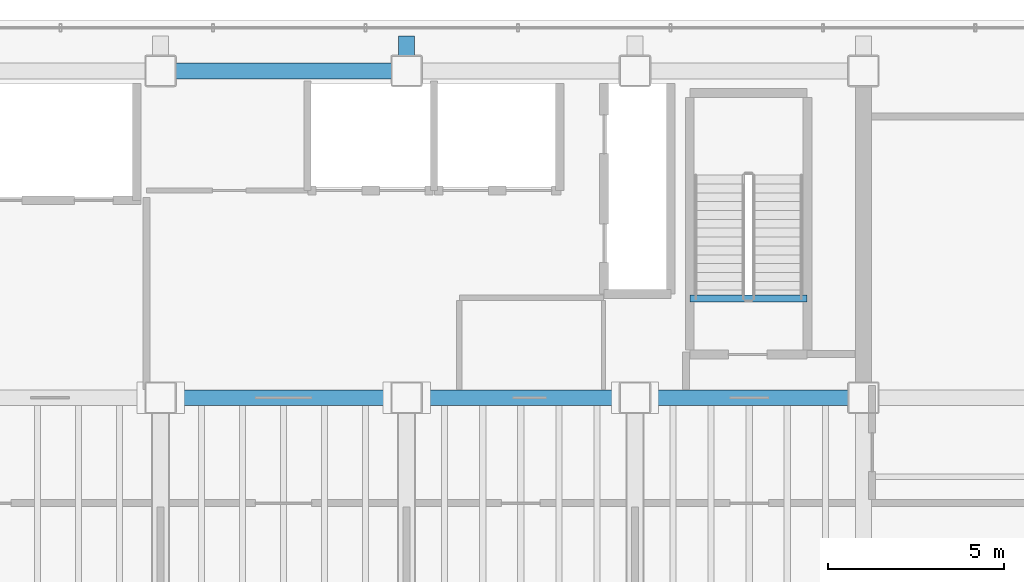
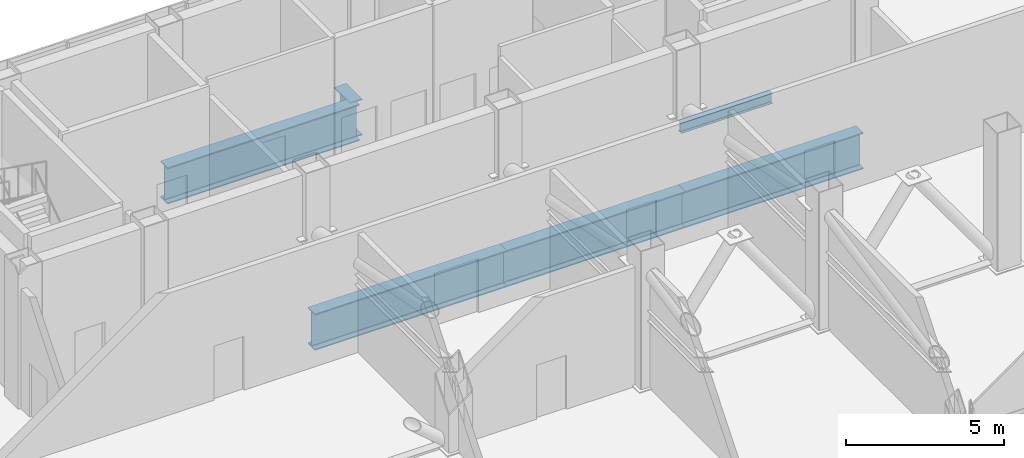
# One storey, part 8 of 18: 6 beams.
"""IFC4 building model written with IfcOpenShell, lengths in metres."""

from ifc_helpers import new_model, si_unit, direction, frame, origin, origin_2d, place, context, subcontext, project, spatial, i_section, extrude, material, material_profile, profile_set, type_object, element, save


model = new_model("IFC4")

# Units and contexts
model_context = context("Model", 3, precision=1e-05, world=origin(), true_north=direction((0.0, 1.0)))
body_context = subcontext(model_context, "Body", "Model", "MODEL_VIEW")
ifc_project = project(units=[si_unit("LENGTHUNIT", "METRE"), si_unit("AREAUNIT", "SQUARE_METRE"), si_unit("VOLUMEUNIT", "CUBIC_METRE"), si_unit("PLANEANGLEUNIT", "RADIAN"), si_unit("MASSUNIT", "GRAM", prefix="KILO")], contexts=[model_context])

# Site, building, storey
site_placement = place(None, origin())
site = spatial("IfcSite", under=ifc_project, at=site_placement, CompositionType="ELEMENT")
building_placement = place(site_placement, origin())
building = spatial("IfcBuilding", under=site, at=building_placement, Name="Noeulbin Bourse Tower", CompositionType="ELEMENT")
storey_placement = place(building_placement, frame((0.0, 0.0, 200.699951171875)))
storey = spatial("IfcBuildingStorey", under=building, at=storey_placement, Name="L50", CompositionType="ELEMENT", Elevation=200.699951171875)

# Beams
ifc_material_1 = material(Name="Steel S355", Category="steel")
ifc_material_profile_1 = material_profile(ifc_material_1, i_section(OverallWidth=0.199951171875, OverallDepth=0.39990234375, WebThickness=0.008056640625, FlangeThickness=0.012939453125, FilletRadius=0.01611328125, at=origin_2d()), Name="H-400x200x8x13", Category="LoadBearing")
ifc_profile_set_1 = profile_set([ifc_material_profile_1], Name="Steel S355")
beam_type_1 = type_object("IfcBeamType", Name="BM-SEC-400", PredefinedType="BEAM", material=ifc_profile_set_1)
beam_1_placement = place(storey_placement, frame((39.06005859375, 31.820068359375, -0.199951171875), z_axis=(1.0, 0.0, 0.0), x_axis=(0.0, 1.0, 0.0)))
element("IfcBeam", 1, at=beam_1_placement, inside=storey, type_object=beam_type_1, Name="Stair Threshold Trimmer Beam ST2-L50", PredefinedType="BEAM", context=body_context, shape_type="SweptSolid", body=[
    extrude(i_section(OverallWidth=0.199951171875, OverallDepth=0.39990234375, WebThickness=0.008056640625, FlangeThickness=0.012939453125, FilletRadius=0.01611328125, at=origin_2d()), origin(), (0.0, 0.0, 1.0), 3.33984375),
])
ifc_material_2 = material(Name="Steel S460", Category="steel")
ifc_material_profile_2 = material_profile(ifc_material_2, i_section(OverallWidth=0.449951171875, OverallDepth=1.39990234375, WebThickness=0.02392578125, FlangeThickness=0.0400390625, FilletRadius=0.02392578125, at=origin_2d()), Name="PG-1400x450x24x40", Category="LoadBearing")
ifc_profile_set_2 = profile_set([ifc_material_profile_2], Name="Steel S460")
beam_type_2 = type_object("IfcBeamType", Name="BM-TRF-1400", PredefinedType="USERDEFINED", material=ifc_profile_set_2)
beam_2_placement = place(storey_placement, frame((24.0, 29.0, -1.0), z_axis=(1.0, 0.0, 0.0), x_axis=(0.0, 1.0, 0.0)))
element("IfcBeam", 2, at=beam_2_placement, inside=storey, type_object=beam_type_2, Name="Tower Primary Girder EW L50-2.3", ObjectType="GIRDER", PredefinedType="USERDEFINED", context=body_context, shape_type="SweptSolid", body=[
    extrude(i_section(OverallWidth=0.449951171875, OverallDepth=1.39990234375, WebThickness=0.02392578125, FlangeThickness=0.0400390625, FilletRadius=0.02392578125, at=origin_2d()), origin(), (0.0, 0.0, 1.0), 7.0),
])
for number, where, z_axis, x_axis, name in (
    (3, (31.0, 29.0, -1.0), (1.0, 0.0, 0.0), (0.0, 1.0, 0.0), "Tower Primary Girder EW L50-2.4"),
    (4, (37.5, 29.0, -1.0), (1.0, 0.0, 0.0), (0.0, 1.0, 0.0), "Tower Primary Girder EW L50-2.5"),
):
    element("IfcBeam", number, at=place(storey_placement, frame(where, z_axis=z_axis, x_axis=x_axis)), inside=storey, type_object=beam_type_2, Name=name, ObjectType="GIRDER", PredefinedType="USERDEFINED", context=body_context, shape_type="SweptSolid", body=[
        extrude(i_section(OverallWidth=0.449951171875, OverallDepth=1.39990234375, WebThickness=0.02392578125, FlangeThickness=0.0400390625, FilletRadius=0.02392578125, at=origin_2d()), origin(), (0.0, 0.0, 1.0), 6.5),
    ])
beam_3_placement = place(storey_placement, frame((24.0, 38.300048828125, -1.0), z_axis=(1.0, 0.0, 0.0), x_axis=(0.0, 1.0, 0.0)))
element("IfcBeam", 5, at=beam_3_placement, inside=storey, type_object=beam_type_2, Name="Tower Primary Girder EW L50-3.2", ObjectType="GIRDER", PredefinedType="USERDEFINED", context=body_context, shape_type="SweptSolid", body=[
    extrude(i_section(OverallWidth=0.449951171875, OverallDepth=1.39990234375, WebThickness=0.02392578125, FlangeThickness=0.0400390625, FilletRadius=0.02392578125, at=origin_2d()), origin(), (0.0, 0.0, 1.0), 7.0),
])
beam_4_placement = place(storey_placement, frame((31.0, 38.300048828125, -1.0), z_axis=(0.0, 1.0, 0.0), x_axis=(-1.0, 0.0, 0.0)))
element("IfcBeam", 6, at=beam_4_placement, inside=storey, type_object=beam_type_2, Name="Tower Primary Girder NS L50-3.4", ObjectType="GIRDER", PredefinedType="USERDEFINED", context=body_context, shape_type="SweptSolid", body=[
    extrude(i_section(OverallWidth=0.449951171875, OverallDepth=1.39990234375, WebThickness=0.02392578125, FlangeThickness=0.0400390625, FilletRadius=0.02392578125, at=origin_2d()), origin(), (0.0, 0.0, 1.0), 1.0),
])

save(model, "model.ifc")
